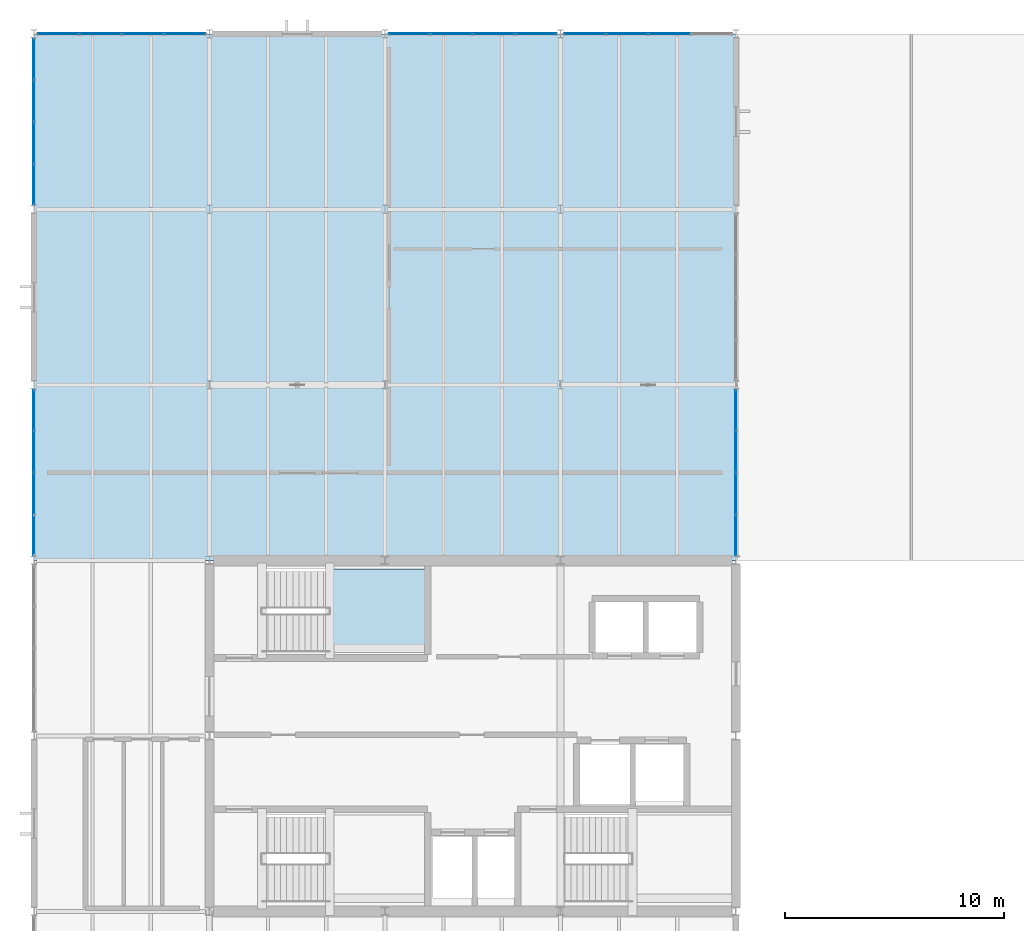
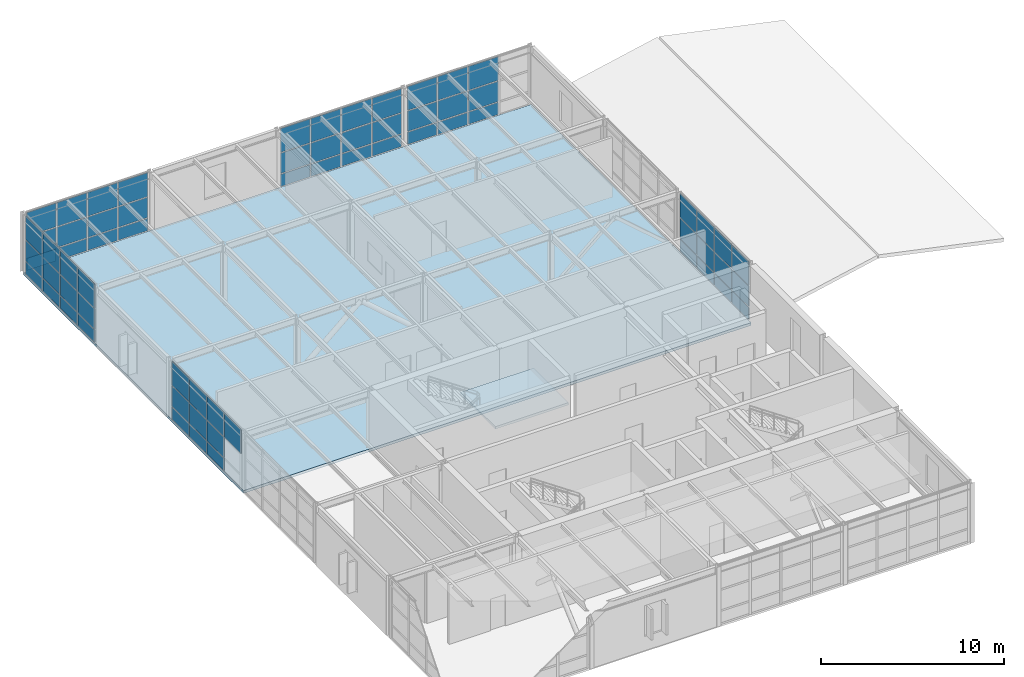
# One storey, part 14 of 20: 67 plates, 2 slabs, 7 elements without a shape of their own.
"""IFC4 building model written with IfcOpenShell, lengths in metres."""

from ifc_helpers import new_model, si_unit, direction, frame, origin, origin_2d, place, context, subcontext, project, spatial, polyline, rectangle, outline, extrude, material, layer, layer_set, type_object, element, aggregate, save


model = new_model("IFC4")

# Units and contexts
model_context = context("Model", 3, precision=1e-05, world=origin(), true_north=direction((0.0, 1.0)))
body_context = subcontext(model_context, "Body", "Model", "MODEL_VIEW")
ifc_project = project(units=[si_unit("LENGTHUNIT", "METRE"), si_unit("AREAUNIT", "SQUARE_METRE"), si_unit("VOLUMEUNIT", "CUBIC_METRE"), si_unit("PLANEANGLEUNIT", "RADIAN"), si_unit("MASSUNIT", "GRAM", prefix="KILO")], contexts=[model_context])

# Site, building, storey
site_placement = place(None, origin())
site = spatial("IfcSite", under=ifc_project, at=site_placement, CompositionType="ELEMENT")
building_placement = place(site_placement, origin())
building = spatial("IfcBuilding", under=site, at=building_placement, Name="Varnela Railside Interchange", CompositionType="ELEMENT")
storey_placement = place(building_placement, frame((0.0, 0.0, 28.0)))
storey = spatial("IfcBuildingStorey", under=building, at=storey_placement, Name="L06", CompositionType="ELEMENT", Elevation=28.0)

# Curtain wall, plates
ifc_material_1 = material(Name="Aluminium 6063-T6", Category="aluminium")
ifc_layer_1 = layer(ifc_material_1, 0.035888671875)
ifc_layer_set_1 = layer_set([ifc_layer_1], Name="Aluminium 6063-T6")
curtain_wall_type = type_object("IfcCurtainWallType", Name="Operations Wing Facade Curtain Wall CW-03", PredefinedType="USERDEFINED", material=ifc_layer_set_1)
curtain_wall_1_placement = place(storey_placement, origin())
curtain_wall_1 = element("IfcCurtainWall", 1, at=curtain_wall_1_placement, inside=storey, type_object=curtain_wall_type, Name="Curtain Wall CW-03 (L06) (CW-148)", ObjectType="CURTAIN WALL", PredefinedType="USERDEFINED")
ifc_material_2 = material(Name="Glass laminated double", Category="glass")
ifc_layer_2 = layer(ifc_material_2, 0.0400390625)
ifc_layer_set_2 = layer_set([ifc_layer_2], Name="Glass laminated double")
plate_type = type_object("IfcPlateType", Name="Acoustic Laminated Vision GL-03", PredefinedType="CURTAIN_PANEL", material=ifc_layer_set_2)
plate_1_placement = place(storey_placement, frame((4.0, 71.151123046875, 2.33837890625), z_axis=(0.0, 0.0, 1.0), x_axis=(0.0, 1.0, 0.0)))
plate_1 = element("IfcPlate", 2, at=plate_1_placement, type_object=plate_type, Name="CW-03 panel 1.3", PredefinedType="CURTAIN_PANEL", context=body_context, shape_type="SweptSolid", body=[
    extrude(rectangle(XDim=1.8193359375, YDim=0.0400390625, at=origin_2d()), origin(), (0.0, 0.0, 1.0), 1.58154296875),
])
plate_2_placement = place(storey_placement, frame((4.0, 73.04541015625, 0.06005859375), z_axis=(0.0, 0.0, 1.0), x_axis=(0.0, 1.0, 0.0)))
plate_2 = element("IfcPlate", 3, at=plate_2_placement, type_object=plate_type, Name="CW-03 panel 2.1", PredefinedType="CURTAIN_PANEL", context=body_context, shape_type="SweptSolid", body=[
    extrude(rectangle(XDim=1.849365234375, YDim=0.0400390625, at=origin_2d()), origin(), (0.0, 0.0, 1.0), 0.81005859375),
])
plate_3_placement = place(storey_placement, frame((4.0, 73.04541015625, 0.93017578125), z_axis=(0.0, 0.0, 1.0), x_axis=(0.0, 1.0, 0.0)))
plate_3 = element("IfcPlate", 4, at=plate_3_placement, type_object=plate_type, Name="CW-03 panel 2.2", PredefinedType="CURTAIN_PANEL", context=body_context, shape_type="SweptSolid", body=[
    extrude(rectangle(XDim=1.849365234375, YDim=0.0400390625, at=origin_2d()), origin(), (0.0, 0.0, 1.0), 1.348388671875),
])
plate_4_placement = place(storey_placement, frame((4.0, 73.04541015625, 2.33837890625), z_axis=(0.0, 0.0, 1.0), x_axis=(0.0, 1.0, 0.0)))
plate_4 = element("IfcPlate", 5, at=plate_4_placement, type_object=plate_type, Name="CW-03 panel 2.3", PredefinedType="CURTAIN_PANEL", context=body_context, shape_type="SweptSolid", body=[
    extrude(rectangle(XDim=1.849365234375, YDim=0.0400390625, at=origin_2d()), origin(), (0.0, 0.0, 1.0), 1.58154296875),
])
plate_5_placement = place(storey_placement, frame((4.0, 74.95458984375, 0.06005859375), z_axis=(0.0, 0.0, 1.0), x_axis=(0.0, 1.0, 0.0)))
plate_5 = element("IfcPlate", 6, at=plate_5_placement, type_object=plate_type, Name="CW-03 panel 3.1", PredefinedType="CURTAIN_PANEL", context=body_context, shape_type="SweptSolid", body=[
    extrude(rectangle(XDim=1.849365234375, YDim=0.0400390625, at=origin_2d()), origin(), (0.0, 0.0, 1.0), 0.81005859375),
])
plate_6_placement = place(storey_placement, frame((4.0, 74.95458984375, 0.93017578125), z_axis=(0.0, 0.0, 1.0), x_axis=(0.0, 1.0, 0.0)))
plate_6 = element("IfcPlate", 7, at=plate_6_placement, type_object=plate_type, Name="CW-03 panel 3.2", PredefinedType="CURTAIN_PANEL", context=body_context, shape_type="SweptSolid", body=[
    extrude(rectangle(XDim=1.849365234375, YDim=0.0400390625, at=origin_2d()), origin(), (0.0, 0.0, 1.0), 1.348388671875),
])
plate_7_placement = place(storey_placement, frame((4.0, 74.95458984375, 2.33837890625), z_axis=(0.0, 0.0, 1.0), x_axis=(0.0, 1.0, 0.0)))
plate_7 = element("IfcPlate", 8, at=plate_7_placement, type_object=plate_type, Name="CW-03 panel 3.3", PredefinedType="CURTAIN_PANEL", context=body_context, shape_type="SweptSolid", body=[
    extrude(rectangle(XDim=1.849365234375, YDim=0.0400390625, at=origin_2d()), origin(), (0.0, 0.0, 1.0), 1.58154296875),
])
plate_8_placement = place(storey_placement, frame((4.0, 76.848876953125, 0.06005859375), z_axis=(0.0, 0.0, 1.0), x_axis=(0.0, 1.0, 0.0)))
plate_8 = element("IfcPlate", 9, at=plate_8_placement, type_object=plate_type, Name="CW-03 panel 4.1", PredefinedType="CURTAIN_PANEL", context=body_context, shape_type="SweptSolid", body=[
    extrude(rectangle(XDim=1.8193359375, YDim=0.0400390625, at=origin_2d()), origin(), (0.0, 0.0, 1.0), 0.81005859375),
])
plate_9_placement = place(storey_placement, frame((4.0, 76.848876953125, 0.93017578125), z_axis=(0.0, 0.0, 1.0), x_axis=(0.0, 1.0, 0.0)))
plate_9 = element("IfcPlate", 10, at=plate_9_placement, type_object=plate_type, Name="CW-03 panel 4.2", PredefinedType="CURTAIN_PANEL", context=body_context, shape_type="SweptSolid", body=[
    extrude(rectangle(XDim=1.8193359375, YDim=0.0400390625, at=origin_2d()), origin(), (0.0, 0.0, 1.0), 1.348388671875),
])
plate_10_placement = place(storey_placement, frame((4.0, 76.848876953125, 2.33837890625), z_axis=(0.0, 0.0, 1.0), x_axis=(0.0, 1.0, 0.0)))
plate_10 = element("IfcPlate", 11, at=plate_10_placement, type_object=plate_type, Name="CW-03 panel 4.3", PredefinedType="CURTAIN_PANEL", context=body_context, shape_type="SweptSolid", body=[
    extrude(rectangle(XDim=1.8193359375, YDim=0.0400390625, at=origin_2d()), origin(), (0.0, 0.0, 1.0), 1.58154296875),
])
aggregate(curtain_wall_1, [plate_1, plate_2, plate_3, plate_4, plate_5, plate_6, plate_7, plate_8, plate_9, plate_10])

curtain_wall_2_placement = place(storey_placement, origin())
curtain_wall_2 = element("IfcCurtainWall", 12, at=curtain_wall_2_placement, inside=storey, type_object=curtain_wall_type, Name="Curtain Wall CW-03 (L06) (CW-138)", ObjectType="CURTAIN WALL", PredefinedType="USERDEFINED")
plate_11_placement = place(storey_placement, frame((4.0, 87.151123046875, 0.06005859375), z_axis=(0.0, 0.0, 1.0), x_axis=(0.0, 1.0, 0.0)))
plate_11 = element("IfcPlate", 13, at=plate_11_placement, type_object=plate_type, Name="CW-03 panel 1.1", PredefinedType="CURTAIN_PANEL", context=body_context, shape_type="SweptSolid", body=[
    extrude(rectangle(XDim=1.8193359375, YDim=0.0400390625, at=origin_2d()), origin(), (0.0, 0.0, 1.0), 0.81005859375),
])
plate_12_placement = place(storey_placement, frame((4.0, 87.151123046875, 0.93017578125), z_axis=(0.0, 0.0, 1.0), x_axis=(0.0, 1.0, 0.0)))
plate_12 = element("IfcPlate", 14, at=plate_12_placement, type_object=plate_type, Name="CW-03 panel 1.2", PredefinedType="CURTAIN_PANEL", context=body_context, shape_type="SweptSolid", body=[
    extrude(rectangle(XDim=1.8193359375, YDim=0.0400390625, at=origin_2d()), origin(), (0.0, 0.0, 1.0), 1.348388671875),
])
plate_13_placement = place(storey_placement, frame((4.0, 87.151123046875, 2.33837890625), z_axis=(0.0, 0.0, 1.0), x_axis=(0.0, 1.0, 0.0)))
plate_13 = element("IfcPlate", 15, at=plate_13_placement, type_object=plate_type, Name="CW-03 panel 1.3", PredefinedType="CURTAIN_PANEL", context=body_context, shape_type="SweptSolid", body=[
    extrude(rectangle(XDim=1.8193359375, YDim=0.0400390625, at=origin_2d()), origin(), (0.0, 0.0, 1.0), 1.58154296875),
])
plate_14_placement = place(storey_placement, frame((4.0, 89.04541015625, 0.06005859375), z_axis=(0.0, 0.0, 1.0), x_axis=(0.0, 1.0, 0.0)))
plate_14 = element("IfcPlate", 16, at=plate_14_placement, type_object=plate_type, Name="CW-03 panel 2.1", PredefinedType="CURTAIN_PANEL", context=body_context, shape_type="SweptSolid", body=[
    extrude(rectangle(XDim=1.849365234375, YDim=0.0400390625, at=origin_2d()), origin(), (0.0, 0.0, 1.0), 0.81005859375),
])
plate_15_placement = place(storey_placement, frame((4.0, 89.04541015625, 0.93017578125), z_axis=(0.0, 0.0, 1.0), x_axis=(0.0, 1.0, 0.0)))
plate_15 = element("IfcPlate", 17, at=plate_15_placement, type_object=plate_type, Name="CW-03 panel 2.2", PredefinedType="CURTAIN_PANEL", context=body_context, shape_type="SweptSolid", body=[
    extrude(rectangle(XDim=1.849365234375, YDim=0.0400390625, at=origin_2d()), origin(), (0.0, 0.0, 1.0), 1.348388671875),
])
plate_16_placement = place(storey_placement, frame((4.0, 89.04541015625, 2.33837890625), z_axis=(0.0, 0.0, 1.0), x_axis=(0.0, 1.0, 0.0)))
plate_16 = element("IfcPlate", 18, at=plate_16_placement, type_object=plate_type, Name="CW-03 panel 2.3", PredefinedType="CURTAIN_PANEL", context=body_context, shape_type="SweptSolid", body=[
    extrude(rectangle(XDim=1.849365234375, YDim=0.0400390625, at=origin_2d()), origin(), (0.0, 0.0, 1.0), 1.58154296875),
])
plate_17_placement = place(storey_placement, frame((4.0, 90.95458984375, 0.06005859375), z_axis=(0.0, 0.0, 1.0), x_axis=(0.0, 1.0, 0.0)))
plate_17 = element("IfcPlate", 19, at=plate_17_placement, type_object=plate_type, Name="CW-03 panel 3.1", PredefinedType="CURTAIN_PANEL", context=body_context, shape_type="SweptSolid", body=[
    extrude(rectangle(XDim=1.849365234375, YDim=0.0400390625, at=origin_2d()), origin(), (0.0, 0.0, 1.0), 0.81005859375),
])
plate_18_placement = place(storey_placement, frame((4.0, 90.95458984375, 0.93017578125), z_axis=(0.0, 0.0, 1.0), x_axis=(0.0, 1.0, 0.0)))
plate_18 = element("IfcPlate", 20, at=plate_18_placement, type_object=plate_type, Name="CW-03 panel 3.2", PredefinedType="CURTAIN_PANEL", context=body_context, shape_type="SweptSolid", body=[
    extrude(rectangle(XDim=1.849365234375, YDim=0.0400390625, at=origin_2d()), origin(), (0.0, 0.0, 1.0), 1.348388671875),
])
plate_19_placement = place(storey_placement, frame((4.0, 90.95458984375, 2.33837890625), z_axis=(0.0, 0.0, 1.0), x_axis=(0.0, 1.0, 0.0)))
plate_19 = element("IfcPlate", 21, at=plate_19_placement, type_object=plate_type, Name="CW-03 panel 3.3", PredefinedType="CURTAIN_PANEL", context=body_context, shape_type="SweptSolid", body=[
    extrude(rectangle(XDim=1.849365234375, YDim=0.0400390625, at=origin_2d()), origin(), (0.0, 0.0, 1.0), 1.58154296875),
])
plate_20_placement = place(storey_placement, frame((4.0, 92.848876953125, 0.06005859375), z_axis=(0.0, 0.0, 1.0), x_axis=(0.0, 1.0, 0.0)))
plate_20 = element("IfcPlate", 22, at=plate_20_placement, type_object=plate_type, Name="CW-03 panel 4.1", PredefinedType="CURTAIN_PANEL", context=body_context, shape_type="SweptSolid", body=[
    extrude(rectangle(XDim=1.8193359375, YDim=0.0400390625, at=origin_2d()), origin(), (0.0, 0.0, 1.0), 0.81005859375),
])
plate_21_placement = place(storey_placement, frame((4.0, 92.848876953125, 0.93017578125), z_axis=(0.0, 0.0, 1.0), x_axis=(0.0, 1.0, 0.0)))
plate_21 = element("IfcPlate", 23, at=plate_21_placement, type_object=plate_type, Name="CW-03 panel 4.2", PredefinedType="CURTAIN_PANEL", context=body_context, shape_type="SweptSolid", body=[
    extrude(rectangle(XDim=1.8193359375, YDim=0.0400390625, at=origin_2d()), origin(), (0.0, 0.0, 1.0), 1.348388671875),
])
plate_22_placement = place(storey_placement, frame((4.0, 92.848876953125, 2.33837890625), z_axis=(0.0, 0.0, 1.0), x_axis=(0.0, 1.0, 0.0)))
plate_22 = element("IfcPlate", 24, at=plate_22_placement, type_object=plate_type, Name="CW-03 panel 4.3", PredefinedType="CURTAIN_PANEL", context=body_context, shape_type="SweptSolid", body=[
    extrude(rectangle(XDim=1.8193359375, YDim=0.0400390625, at=origin_2d()), origin(), (0.0, 0.0, 1.0), 1.58154296875),
])
aggregate(curtain_wall_2, [plate_11, plate_12, plate_13, plate_14, plate_15, plate_16, plate_17, plate_18, plate_19, plate_20, plate_21, plate_22])

curtain_wall_3_placement = place(storey_placement, origin())
curtain_wall_3 = element("IfcCurtainWall", 25, at=curtain_wall_3_placement, inside=storey, type_object=curtain_wall_type, Name="Curtain Wall CW-03 (L06) (CW-139)", ObjectType="CURTAIN WALL", PredefinedType="USERDEFINED")
plate_23_placement = place(storey_placement, frame((5.111328125, 94.0, 0.06005859375), z_axis=(0.0, 0.0, 1.0), x_axis=(1.0, 0.0, 0.0)))
plate_23 = element("IfcPlate", 26, at=plate_23_placement, type_object=plate_type, Name="CW-03 panel 1.1", PredefinedType="CURTAIN_PANEL", context=body_context, shape_type="SweptSolid", body=[
    extrude(rectangle(XDim=1.845703125, YDim=0.0400390625, at=origin_2d()), origin(), (0.0, 0.0, 1.0), 0.81005859375),
])
plate_24_placement = place(storey_placement, frame((5.111328125, 94.0, 0.93017578125), z_axis=(0.0, 0.0, 1.0), x_axis=(1.0, 0.0, 0.0)))
plate_24 = element("IfcPlate", 27, at=plate_24_placement, type_object=plate_type, Name="CW-03 panel 1.2", PredefinedType="CURTAIN_PANEL", context=body_context, shape_type="SweptSolid", body=[
    extrude(rectangle(XDim=1.845703125, YDim=0.0400390625, at=origin_2d()), origin(), (0.0, 0.0, 1.0), 1.348388671875),
])
plate_25_placement = place(storey_placement, frame((5.111328125, 94.0, 2.33837890625), z_axis=(0.0, 0.0, 1.0), x_axis=(1.0, 0.0, 0.0)))
plate_25 = element("IfcPlate", 28, at=plate_25_placement, type_object=plate_type, Name="CW-03 panel 1.3", PredefinedType="CURTAIN_PANEL", context=body_context, shape_type="SweptSolid", body=[
    extrude(rectangle(XDim=1.845703125, YDim=0.0400390625, at=origin_2d()), origin(), (0.0, 0.0, 1.0), 1.58154296875),
])
plate_26_placement = place(storey_placement, frame((7.0322265625, 94.0, 0.06005859375), z_axis=(0.0, 0.0, 1.0), x_axis=(1.0, 0.0, 0.0)))
plate_26 = element("IfcPlate", 29, at=plate_26_placement, type_object=plate_type, Name="CW-03 panel 2.1", PredefinedType="CURTAIN_PANEL", context=body_context, shape_type="SweptSolid", body=[
    extrude(rectangle(XDim=1.875732421875, YDim=0.0400390625, at=origin_2d()), origin(), (0.0, 0.0, 1.0), 0.81005859375),
])
plate_27_placement = place(storey_placement, frame((7.0322265625, 94.0, 0.93017578125), z_axis=(0.0, 0.0, 1.0), x_axis=(1.0, 0.0, 0.0)))
plate_27 = element("IfcPlate", 30, at=plate_27_placement, type_object=plate_type, Name="CW-03 panel 2.2", PredefinedType="CURTAIN_PANEL", context=body_context, shape_type="SweptSolid", body=[
    extrude(rectangle(XDim=1.875732421875, YDim=0.0400390625, at=origin_2d()), origin(), (0.0, 0.0, 1.0), 1.348388671875),
])
plate_28_placement = place(storey_placement, frame((7.0322265625, 94.0, 2.33837890625), z_axis=(0.0, 0.0, 1.0), x_axis=(1.0, 0.0, 0.0)))
plate_28 = element("IfcPlate", 31, at=plate_28_placement, type_object=plate_type, Name="CW-03 panel 2.3", PredefinedType="CURTAIN_PANEL", context=body_context, shape_type="SweptSolid", body=[
    extrude(rectangle(XDim=1.875732421875, YDim=0.0400390625, at=origin_2d()), origin(), (0.0, 0.0, 1.0), 1.58154296875),
])
plate_29_placement = place(storey_placement, frame((8.9677734375, 94.0, 0.06005859375), z_axis=(0.0, 0.0, 1.0), x_axis=(1.0, 0.0, 0.0)))
plate_29 = element("IfcPlate", 32, at=plate_29_placement, type_object=plate_type, Name="CW-03 panel 3.1", PredefinedType="CURTAIN_PANEL", context=body_context, shape_type="SweptSolid", body=[
    extrude(rectangle(XDim=1.875732421875, YDim=0.0400390625, at=origin_2d()), origin(), (0.0, 0.0, 1.0), 0.81005859375),
])
plate_30_placement = place(storey_placement, frame((8.9677734375, 94.0, 0.93017578125), z_axis=(0.0, 0.0, 1.0), x_axis=(1.0, 0.0, 0.0)))
plate_30 = element("IfcPlate", 33, at=plate_30_placement, type_object=plate_type, Name="CW-03 panel 3.2", PredefinedType="CURTAIN_PANEL", context=body_context, shape_type="SweptSolid", body=[
    extrude(rectangle(XDim=1.875732421875, YDim=0.0400390625, at=origin_2d()), origin(), (0.0, 0.0, 1.0), 1.348388671875),
])
plate_31_placement = place(storey_placement, frame((8.9677734375, 94.0, 2.33837890625), z_axis=(0.0, 0.0, 1.0), x_axis=(1.0, 0.0, 0.0)))
plate_31 = element("IfcPlate", 34, at=plate_31_placement, type_object=plate_type, Name="CW-03 panel 3.3", PredefinedType="CURTAIN_PANEL", context=body_context, shape_type="SweptSolid", body=[
    extrude(rectangle(XDim=1.875732421875, YDim=0.0400390625, at=origin_2d()), origin(), (0.0, 0.0, 1.0), 1.58154296875),
])
plate_32_placement = place(storey_placement, frame((10.888671875, 94.0, 0.06005859375), z_axis=(0.0, 0.0, 1.0), x_axis=(1.0, 0.0, 0.0)))
plate_32 = element("IfcPlate", 35, at=plate_32_placement, type_object=plate_type, Name="CW-03 panel 4.1", PredefinedType="CURTAIN_PANEL", context=body_context, shape_type="SweptSolid", body=[
    extrude(rectangle(XDim=1.845703125, YDim=0.0400390625, at=origin_2d()), origin(), (0.0, 0.0, 1.0), 0.81005859375),
])
plate_33_placement = place(storey_placement, frame((10.888671875, 94.0, 0.93017578125), z_axis=(0.0, 0.0, 1.0), x_axis=(1.0, 0.0, 0.0)))
plate_33 = element("IfcPlate", 36, at=plate_33_placement, type_object=plate_type, Name="CW-03 panel 4.2", PredefinedType="CURTAIN_PANEL", context=body_context, shape_type="SweptSolid", body=[
    extrude(rectangle(XDim=1.845703125, YDim=0.0400390625, at=origin_2d()), origin(), (0.0, 0.0, 1.0), 1.348388671875),
])
plate_34_placement = place(storey_placement, frame((10.888671875, 94.0, 2.33837890625), z_axis=(0.0, 0.0, 1.0), x_axis=(1.0, 0.0, 0.0)))
plate_34 = element("IfcPlate", 37, at=plate_34_placement, type_object=plate_type, Name="CW-03 panel 4.3", PredefinedType="CURTAIN_PANEL", context=body_context, shape_type="SweptSolid", body=[
    extrude(rectangle(XDim=1.845703125, YDim=0.0400390625, at=origin_2d()), origin(), (0.0, 0.0, 1.0), 1.58154296875),
])
aggregate(curtain_wall_3, [plate_23, plate_24, plate_25, plate_26, plate_27, plate_28, plate_29, plate_30, plate_31, plate_32, plate_33, plate_34])

curtain_wall_4_placement = place(storey_placement, origin())
curtain_wall_4 = element("IfcCurtainWall", 38, at=curtain_wall_4_placement, inside=storey, type_object=curtain_wall_type, Name="Curtain Wall CW-03 (L06) (CW-140)", ObjectType="CURTAIN WALL", PredefinedType="USERDEFINED")
plate_35_placement = place(storey_placement, frame((21.111328125, 94.0, 0.06005859375), z_axis=(0.0, 0.0, 1.0), x_axis=(1.0, 0.0, 0.0)))
plate_35 = element("IfcPlate", 39, at=plate_35_placement, type_object=plate_type, Name="CW-03 panel 1.1", PredefinedType="CURTAIN_PANEL", context=body_context, shape_type="SweptSolid", body=[
    extrude(rectangle(XDim=1.845703125, YDim=0.0400390625, at=origin_2d()), origin(), (0.0, 0.0, 1.0), 0.81005859375),
])
plate_36_placement = place(storey_placement, frame((21.111328125, 94.0, 0.93017578125), z_axis=(0.0, 0.0, 1.0), x_axis=(1.0, 0.0, 0.0)))
plate_36 = element("IfcPlate", 40, at=plate_36_placement, type_object=plate_type, Name="CW-03 panel 1.2", PredefinedType="CURTAIN_PANEL", context=body_context, shape_type="SweptSolid", body=[
    extrude(rectangle(XDim=1.845703125, YDim=0.0400390625, at=origin_2d()), origin(), (0.0, 0.0, 1.0), 1.348388671875),
])
plate_37_placement = place(storey_placement, frame((21.111328125, 94.0, 2.33837890625), z_axis=(0.0, 0.0, 1.0), x_axis=(1.0, 0.0, 0.0)))
plate_37 = element("IfcPlate", 41, at=plate_37_placement, type_object=plate_type, Name="CW-03 panel 1.3", PredefinedType="CURTAIN_PANEL", context=body_context, shape_type="SweptSolid", body=[
    extrude(rectangle(XDim=1.845703125, YDim=0.0400390625, at=origin_2d()), origin(), (0.0, 0.0, 1.0), 1.58154296875),
])
plate_38_placement = place(storey_placement, frame((23.0322265625, 94.0, 0.06005859375), z_axis=(0.0, 0.0, 1.0), x_axis=(1.0, 0.0, 0.0)))
plate_38 = element("IfcPlate", 42, at=plate_38_placement, type_object=plate_type, Name="CW-03 panel 2.1", PredefinedType="CURTAIN_PANEL", context=body_context, shape_type="SweptSolid", body=[
    extrude(rectangle(XDim=1.875732421875, YDim=0.0400390625, at=origin_2d()), origin(), (0.0, 0.0, 1.0), 0.81005859375),
])
plate_39_placement = place(storey_placement, frame((23.0322265625, 94.0, 0.93017578125), z_axis=(0.0, 0.0, 1.0), x_axis=(1.0, 0.0, 0.0)))
plate_39 = element("IfcPlate", 43, at=plate_39_placement, type_object=plate_type, Name="CW-03 panel 2.2", PredefinedType="CURTAIN_PANEL", context=body_context, shape_type="SweptSolid", body=[
    extrude(rectangle(XDim=1.875732421875, YDim=0.0400390625, at=origin_2d()), origin(), (0.0, 0.0, 1.0), 1.348388671875),
])
plate_40_placement = place(storey_placement, frame((23.0322265625, 94.0, 2.33837890625), z_axis=(0.0, 0.0, 1.0), x_axis=(1.0, 0.0, 0.0)))
plate_40 = element("IfcPlate", 44, at=plate_40_placement, type_object=plate_type, Name="CW-03 panel 2.3", PredefinedType="CURTAIN_PANEL", context=body_context, shape_type="SweptSolid", body=[
    extrude(rectangle(XDim=1.875732421875, YDim=0.0400390625, at=origin_2d()), origin(), (0.0, 0.0, 1.0), 1.58154296875),
])
plate_41_placement = place(storey_placement, frame((24.9677734375, 94.0, 0.06005859375), z_axis=(0.0, 0.0, 1.0), x_axis=(1.0, 0.0, 0.0)))
plate_41 = element("IfcPlate", 45, at=plate_41_placement, type_object=plate_type, Name="CW-03 panel 3.1", PredefinedType="CURTAIN_PANEL", context=body_context, shape_type="SweptSolid", body=[
    extrude(rectangle(XDim=1.875732421875, YDim=0.0400390625, at=origin_2d()), origin(), (0.0, 0.0, 1.0), 0.81005859375),
])
plate_42_placement = place(storey_placement, frame((24.9677734375, 94.0, 0.93017578125), z_axis=(0.0, 0.0, 1.0), x_axis=(1.0, 0.0, 0.0)))
plate_42 = element("IfcPlate", 46, at=plate_42_placement, type_object=plate_type, Name="CW-03 panel 3.2", PredefinedType="CURTAIN_PANEL", context=body_context, shape_type="SweptSolid", body=[
    extrude(rectangle(XDim=1.875732421875, YDim=0.0400390625, at=origin_2d()), origin(), (0.0, 0.0, 1.0), 1.348388671875),
])
plate_43_placement = place(storey_placement, frame((24.9677734375, 94.0, 2.33837890625), z_axis=(0.0, 0.0, 1.0), x_axis=(1.0, 0.0, 0.0)))
plate_43 = element("IfcPlate", 47, at=plate_43_placement, type_object=plate_type, Name="CW-03 panel 3.3", PredefinedType="CURTAIN_PANEL", context=body_context, shape_type="SweptSolid", body=[
    extrude(rectangle(XDim=1.875732421875, YDim=0.0400390625, at=origin_2d()), origin(), (0.0, 0.0, 1.0), 1.58154296875),
])
plate_44_placement = place(storey_placement, frame((26.888671875, 94.0, 0.06005859375), z_axis=(0.0, 0.0, 1.0), x_axis=(1.0, 0.0, 0.0)))
plate_44 = element("IfcPlate", 48, at=plate_44_placement, type_object=plate_type, Name="CW-03 panel 4.1", PredefinedType="CURTAIN_PANEL", context=body_context, shape_type="SweptSolid", body=[
    extrude(rectangle(XDim=1.845703125, YDim=0.0400390625, at=origin_2d()), origin(), (0.0, 0.0, 1.0), 0.81005859375),
])
plate_45_placement = place(storey_placement, frame((26.888671875, 94.0, 0.93017578125), z_axis=(0.0, 0.0, 1.0), x_axis=(1.0, 0.0, 0.0)))
plate_45 = element("IfcPlate", 49, at=plate_45_placement, type_object=plate_type, Name="CW-03 panel 4.2", PredefinedType="CURTAIN_PANEL", context=body_context, shape_type="SweptSolid", body=[
    extrude(rectangle(XDim=1.845703125, YDim=0.0400390625, at=origin_2d()), origin(), (0.0, 0.0, 1.0), 1.348388671875),
])
plate_46_placement = place(storey_placement, frame((26.888671875, 94.0, 2.33837890625), z_axis=(0.0, 0.0, 1.0), x_axis=(1.0, 0.0, 0.0)))
plate_46 = element("IfcPlate", 50, at=plate_46_placement, type_object=plate_type, Name="CW-03 panel 4.3", PredefinedType="CURTAIN_PANEL", context=body_context, shape_type="SweptSolid", body=[
    extrude(rectangle(XDim=1.845703125, YDim=0.0400390625, at=origin_2d()), origin(), (0.0, 0.0, 1.0), 1.58154296875),
])
aggregate(curtain_wall_4, [plate_35, plate_36, plate_37, plate_38, plate_39, plate_40, plate_41, plate_42, plate_43, plate_44, plate_45, plate_46])

curtain_wall_5_placement = place(storey_placement, origin())
curtain_wall_5 = element("IfcCurtainWall", 51, at=curtain_wall_5_placement, inside=storey, type_object=curtain_wall_type, Name="Curtain Wall CW-03 (L06) (CW-141)", ObjectType="CURTAIN WALL", PredefinedType="USERDEFINED")
plate_47_placement = place(storey_placement, frame((29.111328125, 94.0, 0.06005859375), z_axis=(0.0, 0.0, 1.0), x_axis=(1.0, 0.0, 0.0)))
plate_47 = element("IfcPlate", 52, at=plate_47_placement, type_object=plate_type, Name="CW-03 panel 1.1", PredefinedType="CURTAIN_PANEL", context=body_context, shape_type="SweptSolid", body=[
    extrude(rectangle(XDim=1.845703125, YDim=0.0400390625, at=origin_2d()), origin(), (0.0, 0.0, 1.0), 0.81005859375),
])
plate_48_placement = place(storey_placement, frame((29.111328125, 94.0, 0.93017578125), z_axis=(0.0, 0.0, 1.0), x_axis=(1.0, 0.0, 0.0)))
plate_48 = element("IfcPlate", 53, at=plate_48_placement, type_object=plate_type, Name="CW-03 panel 1.2", PredefinedType="CURTAIN_PANEL", context=body_context, shape_type="SweptSolid", body=[
    extrude(rectangle(XDim=1.845703125, YDim=0.0400390625, at=origin_2d()), origin(), (0.0, 0.0, 1.0), 1.348388671875),
])
plate_49_placement = place(storey_placement, frame((29.111328125, 94.0, 2.33837890625), z_axis=(0.0, 0.0, 1.0), x_axis=(1.0, 0.0, 0.0)))
plate_49 = element("IfcPlate", 54, at=plate_49_placement, type_object=plate_type, Name="CW-03 panel 1.3", PredefinedType="CURTAIN_PANEL", context=body_context, shape_type="SweptSolid", body=[
    extrude(rectangle(XDim=1.845703125, YDim=0.0400390625, at=origin_2d()), origin(), (0.0, 0.0, 1.0), 1.58154296875),
])
plate_50_placement = place(storey_placement, frame((31.0322265625, 94.0, 0.06005859375), z_axis=(0.0, 0.0, 1.0), x_axis=(1.0, 0.0, 0.0)))
plate_50 = element("IfcPlate", 55, at=plate_50_placement, type_object=plate_type, Name="CW-03 panel 2.1", PredefinedType="CURTAIN_PANEL", context=body_context, shape_type="SweptSolid", body=[
    extrude(rectangle(XDim=1.875732421875, YDim=0.0400390625, at=origin_2d()), origin(), (0.0, 0.0, 1.0), 0.81005859375),
])
plate_51_placement = place(storey_placement, frame((31.0322265625, 94.0, 0.93017578125), z_axis=(0.0, 0.0, 1.0), x_axis=(1.0, 0.0, 0.0)))
plate_51 = element("IfcPlate", 56, at=plate_51_placement, type_object=plate_type, Name="CW-03 panel 2.2", PredefinedType="CURTAIN_PANEL", context=body_context, shape_type="SweptSolid", body=[
    extrude(rectangle(XDim=1.875732421875, YDim=0.0400390625, at=origin_2d()), origin(), (0.0, 0.0, 1.0), 1.348388671875),
])
plate_52_placement = place(storey_placement, frame((31.0322265625, 94.0, 2.33837890625), z_axis=(0.0, 0.0, 1.0), x_axis=(1.0, 0.0, 0.0)))
plate_52 = element("IfcPlate", 57, at=plate_52_placement, type_object=plate_type, Name="CW-03 panel 2.3", PredefinedType="CURTAIN_PANEL", context=body_context, shape_type="SweptSolid", body=[
    extrude(rectangle(XDim=1.875732421875, YDim=0.0400390625, at=origin_2d()), origin(), (0.0, 0.0, 1.0), 1.58154296875),
])
plate_53_placement = place(storey_placement, frame((32.9677734375, 94.0, 0.06005859375), z_axis=(0.0, 0.0, 1.0), x_axis=(1.0, 0.0, 0.0)))
plate_53 = element("IfcPlate", 58, at=plate_53_placement, type_object=plate_type, Name="CW-03 panel 3.1", PredefinedType="CURTAIN_PANEL", context=body_context, shape_type="SweptSolid", body=[
    extrude(rectangle(XDim=1.875732421875, YDim=0.0400390625, at=origin_2d()), origin(), (0.0, 0.0, 1.0), 0.81005859375),
])
plate_54_placement = place(storey_placement, frame((32.9677734375, 94.0, 0.93017578125), z_axis=(0.0, 0.0, 1.0), x_axis=(1.0, 0.0, 0.0)))
plate_54 = element("IfcPlate", 59, at=plate_54_placement, type_object=plate_type, Name="CW-03 panel 3.2", PredefinedType="CURTAIN_PANEL", context=body_context, shape_type="SweptSolid", body=[
    extrude(rectangle(XDim=1.875732421875, YDim=0.0400390625, at=origin_2d()), origin(), (0.0, 0.0, 1.0), 1.348388671875),
])
plate_55_placement = place(storey_placement, frame((32.9677734375, 94.0, 2.33837890625), z_axis=(0.0, 0.0, 1.0), x_axis=(1.0, 0.0, 0.0)))
plate_55 = element("IfcPlate", 60, at=plate_55_placement, type_object=plate_type, Name="CW-03 panel 3.3", PredefinedType="CURTAIN_PANEL", context=body_context, shape_type="SweptSolid", body=[
    extrude(rectangle(XDim=1.875732421875, YDim=0.0400390625, at=origin_2d()), origin(), (0.0, 0.0, 1.0), 1.58154296875),
])
aggregate(curtain_wall_5, [plate_47, plate_48, plate_49, plate_50, plate_51, plate_52, plate_53, plate_54, plate_55])

curtain_wall_6_placement = place(storey_placement, origin())
curtain_wall_6 = element("IfcCurtainWall", 61, at=curtain_wall_6_placement, inside=storey, type_object=curtain_wall_type, Name="Curtain Wall CW-03 (L06) (CW-143)", ObjectType="CURTAIN WALL", PredefinedType="USERDEFINED")
plate_56_placement = place(storey_placement, frame((36.0, 76.8486328125, 0.06005859375), z_axis=(0.0, 0.0, 1.0), x_axis=(0.0, -1.0, 0.0)))
plate_56 = element("IfcPlate", 62, at=plate_56_placement, type_object=plate_type, Name="CW-03 panel 1.1", PredefinedType="CURTAIN_PANEL", context=body_context, shape_type="SweptSolid", body=[
    extrude(rectangle(XDim=1.819580078125, YDim=0.0400390625, at=origin_2d()), origin(), (0.0, 0.0, 1.0), 0.81005859375),
])
plate_57_placement = place(storey_placement, frame((36.0, 76.8486328125, 0.93017578125), z_axis=(0.0, 0.0, 1.0), x_axis=(0.0, -1.0, 0.0)))
plate_57 = element("IfcPlate", 63, at=plate_57_placement, type_object=plate_type, Name="CW-03 panel 1.2", PredefinedType="CURTAIN_PANEL", context=body_context, shape_type="SweptSolid", body=[
    extrude(rectangle(XDim=1.819580078125, YDim=0.0400390625, at=origin_2d()), origin(), (0.0, 0.0, 1.0), 1.348388671875),
])
plate_58_placement = place(storey_placement, frame((36.0, 76.8486328125, 2.33837890625), z_axis=(0.0, 0.0, 1.0), x_axis=(0.0, -1.0, 0.0)))
plate_58 = element("IfcPlate", 64, at=plate_58_placement, type_object=plate_type, Name="CW-03 panel 1.3", PredefinedType="CURTAIN_PANEL", context=body_context, shape_type="SweptSolid", body=[
    extrude(rectangle(XDim=1.819580078125, YDim=0.0400390625, at=origin_2d()), origin(), (0.0, 0.0, 1.0), 1.58154296875),
])
plate_59_placement = place(storey_placement, frame((36.0, 74.9541015625, 0.06005859375), z_axis=(0.0, 0.0, 1.0), x_axis=(0.0, -1.0, 0.0)))
plate_59 = element("IfcPlate", 65, at=plate_59_placement, type_object=plate_type, Name="CW-03 panel 2.1", PredefinedType="CURTAIN_PANEL", context=body_context, shape_type="SweptSolid", body=[
    extrude(rectangle(XDim=1.849609375, YDim=0.0400390625, at=origin_2d()), origin(), (0.0, 0.0, 1.0), 0.81005859375),
])
plate_60_placement = place(storey_placement, frame((36.0, 74.9541015625, 0.93017578125), z_axis=(0.0, 0.0, 1.0), x_axis=(0.0, -1.0, 0.0)))
plate_60 = element("IfcPlate", 66, at=plate_60_placement, type_object=plate_type, Name="CW-03 panel 2.2", PredefinedType="CURTAIN_PANEL", context=body_context, shape_type="SweptSolid", body=[
    extrude(rectangle(XDim=1.849609375, YDim=0.0400390625, at=origin_2d()), origin(), (0.0, 0.0, 1.0), 1.348388671875),
])
plate_61_placement = place(storey_placement, frame((36.0, 74.9541015625, 2.33837890625), z_axis=(0.0, 0.0, 1.0), x_axis=(0.0, -1.0, 0.0)))
plate_61 = element("IfcPlate", 67, at=plate_61_placement, type_object=plate_type, Name="CW-03 panel 2.3", PredefinedType="CURTAIN_PANEL", context=body_context, shape_type="SweptSolid", body=[
    extrude(rectangle(XDim=1.849609375, YDim=0.0400390625, at=origin_2d()), origin(), (0.0, 0.0, 1.0), 1.58154296875),
])
plate_62_placement = place(storey_placement, frame((36.0, 73.04443359375, 0.06005859375), z_axis=(0.0, 0.0, 1.0), x_axis=(0.0, -1.0, 0.0)))
plate_62 = element("IfcPlate", 68, at=plate_62_placement, type_object=plate_type, Name="CW-03 panel 3.1", PredefinedType="CURTAIN_PANEL", context=body_context, shape_type="SweptSolid", body=[
    extrude(rectangle(XDim=1.849609375, YDim=0.0400390625, at=origin_2d()), origin(), (0.0, 0.0, 1.0), 0.81005859375),
])
plate_63_placement = place(storey_placement, frame((36.0, 73.04443359375, 0.93017578125), z_axis=(0.0, 0.0, 1.0), x_axis=(0.0, -1.0, 0.0)))
plate_63 = element("IfcPlate", 69, at=plate_63_placement, type_object=plate_type, Name="CW-03 panel 3.2", PredefinedType="CURTAIN_PANEL", context=body_context, shape_type="SweptSolid", body=[
    extrude(rectangle(XDim=1.849609375, YDim=0.0400390625, at=origin_2d()), origin(), (0.0, 0.0, 1.0), 1.348388671875),
])
plate_64_placement = place(storey_placement, frame((36.0, 73.04443359375, 2.33837890625), z_axis=(0.0, 0.0, 1.0), x_axis=(0.0, -1.0, 0.0)))
plate_64 = element("IfcPlate", 70, at=plate_64_placement, type_object=plate_type, Name="CW-03 panel 3.3", PredefinedType="CURTAIN_PANEL", context=body_context, shape_type="SweptSolid", body=[
    extrude(rectangle(XDim=1.849609375, YDim=0.0400390625, at=origin_2d()), origin(), (0.0, 0.0, 1.0), 1.58154296875),
])
plate_65_placement = place(storey_placement, frame((36.0, 71.14990234375, 0.06005859375), z_axis=(0.0, 0.0, 1.0), x_axis=(0.0, -1.0, 0.0)))
plate_65 = element("IfcPlate", 71, at=plate_65_placement, type_object=plate_type, Name="CW-03 panel 4.1", PredefinedType="CURTAIN_PANEL", context=body_context, shape_type="SweptSolid", body=[
    extrude(rectangle(XDim=1.819580078125, YDim=0.0400390625, at=origin_2d()), origin(), (0.0, 0.0, 1.0), 0.81005859375),
])
plate_66_placement = place(storey_placement, frame((36.0, 71.14990234375, 0.93017578125), z_axis=(0.0, 0.0, 1.0), x_axis=(0.0, -1.0, 0.0)))
plate_66 = element("IfcPlate", 72, at=plate_66_placement, type_object=plate_type, Name="CW-03 panel 4.2", PredefinedType="CURTAIN_PANEL", context=body_context, shape_type="SweptSolid", body=[
    extrude(rectangle(XDim=1.819580078125, YDim=0.0400390625, at=origin_2d()), origin(), (0.0, 0.0, 1.0), 1.348388671875),
])
plate_67_placement = place(storey_placement, frame((36.0, 71.14990234375, 2.33837890625), z_axis=(0.0, 0.0, 1.0), x_axis=(0.0, -1.0, 0.0)))
plate_67 = element("IfcPlate", 73, at=plate_67_placement, type_object=plate_type, Name="CW-03 panel 4.3", PredefinedType="CURTAIN_PANEL", context=body_context, shape_type="SweptSolid", body=[
    extrude(rectangle(XDim=1.819580078125, YDim=0.0400390625, at=origin_2d()), origin(), (0.0, 0.0, 1.0), 1.58154296875),
])
aggregate(curtain_wall_6, [plate_56, plate_57, plate_58, plate_59, plate_60, plate_61, plate_62, plate_63, plate_64, plate_65, plate_66, plate_67])

# Stair, slab
ifc_material_3 = material(Name="Concrete C40", Category="concrete")
stair_type = type_object("IfcStairType", Name="Core Pressurized Stair ST-165", PredefinedType="TWO_STRAIGHT_RUN_STAIR", material=ifc_material_3)
stair_placement = place(storey_placement, origin())
stair = element("IfcStair", 74, at=stair_placement, inside=storey, type_object=stair_type, Name="Stair ST-T3 (L06) (SF-217)", PredefinedType="TWO_STRAIGHT_RUN_STAIR")
ifc_layer_3 = layer(ifc_material_3, 0.159912109375)
ifc_layer_set_3 = layer_set([ifc_layer_3], Name="Concrete C40")
slab_type_1 = type_object("IfcSlabType", Name="Stair Half-Landing Slab SL-LD", PredefinedType="LANDING", material=ifc_layer_set_3)
slab_1_placement = place(storey_placement, frame((0.0, 0.0, 1.93994140625)))
slab_1 = element("IfcSlab", 75, at=slab_1_placement, type_object=slab_type_1, Name="ST-T3 landing 1 (SL-0208)", PredefinedType="LANDING", context=body_context, shape_type="SweptSolid", body=[
    extrude(outline(polyline([(17.449951171875, 65.800048828125), (22.06005859375, 65.800048828125), (22.06005859375, 69.60009765625), (17.449951171875, 69.60009765625), (17.449951171875, 65.800048828125)])), origin(), (0.0, 0.0, 1.0), 0.16015625),
])
aggregate(stair, [slab_1])

# Slab
ifc_layer_4 = layer(ifc_material_3, 0.179931640625)
ifc_layer_set_4 = layer_set([ifc_layer_4], Name="Concrete C40")
slab_type_2 = type_object("IfcSlabType", Name="Telemetry Composite Slab SL-180B", PredefinedType="FLOOR", material=ifc_layer_set_4)
slab_2_placement = place(storey_placement, frame((0.0, 0.0, -0.179931640625)))
element("IfcSlab", 76, at=slab_2_placement, inside=storey, type_object=slab_type_2, Name="Telemetry Composite Slab SL-180B (L06) (SL-0203)", PredefinedType="FLOOR", context=body_context, shape_type="SweptSolid", body=[
    extrude(outline(polyline([(4.0, 70.0), (36.0, 70.0), (36.0, 94.0), (4.0, 94.0), (4.0, 70.0)])), origin(), (0.0, 0.0, 1.0), 0.179931640625),
])

save(model, "model.ifc")
